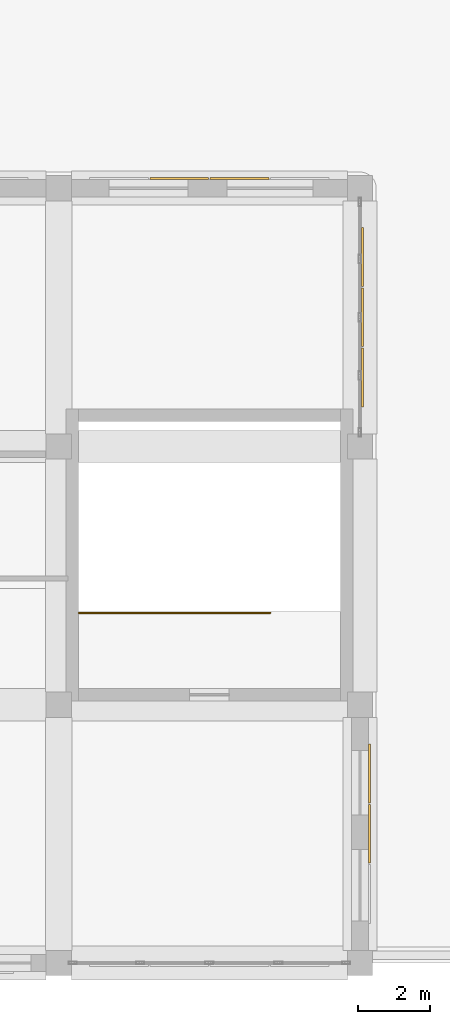
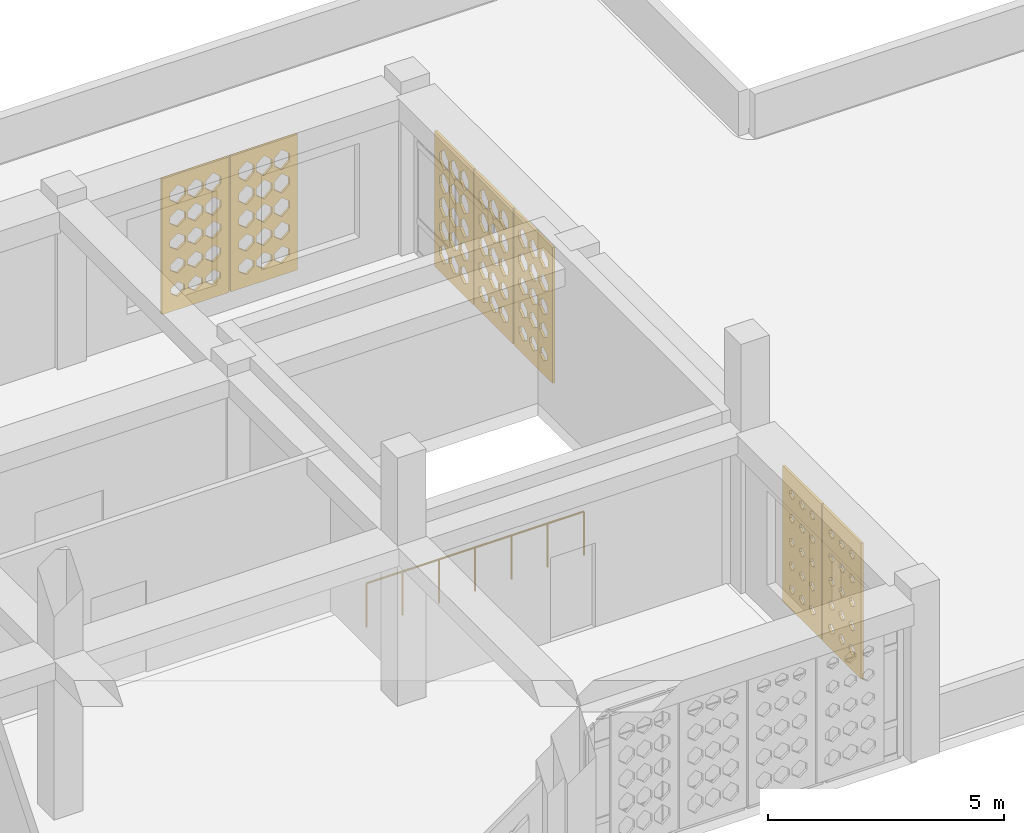
# One storey, part 98 of 100: 7 coverings, 1 railing.
"""IFC4 building model written with IfcOpenShell, lengths in metres."""

from ifc_helpers import new_model, si_unit, derived_unit, direction, frame, origin, origin_2d, place, context, subcontext, project, spatial, polyline, circle, outline, extrude, material, layer, layer_set, type_object, element, save


model = new_model("IFC4")

# Units and contexts
model_context = context("Model", 3, precision=1e-05, world=origin(), true_north=direction((0.0, 1.0)))
body_context = subcontext(model_context, "Body", "Model", "MODEL_VIEW")
ifc_project = project(units=[si_unit("LENGTHUNIT", "METRE"), si_unit("AREAUNIT", "SQUARE_METRE"), si_unit("VOLUMEUNIT", "CUBIC_METRE"), si_unit("PLANEANGLEUNIT", "RADIAN"), si_unit("MASSUNIT", "GRAM", prefix="KILO"), derived_unit("THERMALTRANSMITTANCEUNIT", [(si_unit("POWERUNIT", "WATT"), 1), (si_unit("LENGTHUNIT", "METRE"), -2), (si_unit("THERMODYNAMICTEMPERATUREUNIT", "KELVIN"), -1)])], contexts=[model_context])

# Site, building, storey
site_placement = place(None, origin())
site = spatial("IfcSite", under=ifc_project, at=site_placement, CompositionType="ELEMENT")
building_placement = place(site_placement, origin())
building = spatial("IfcBuilding", under=site, at=building_placement, Name="Veybourne Emporium", CompositionType="ELEMENT")
storey_placement = place(building_placement, frame((0.0, 0.0, 14.39990234375)))
storey = spatial("IfcBuildingStorey", under=building, at=storey_placement, Name="L03", CompositionType="ELEMENT", Elevation=14.39990234375)

# Railing
ifc_material_1 = material(Name="Brushed Stainless Steel", Category="steel")
railing_type = type_object("IfcRailingType", Name="Guard_GR-01", PredefinedType="GUARDRAIL", material=ifc_material_1)
railing_placement = place(storey_placement, frame((126.570068359375, 9.760009765625, 0.0)))
element("IfcRailing", 1, at=railing_placement, inside=storey, type_object=railing_type, Name="L03 ST-06 top well guardrail", PredefinedType="GUARDRAIL", context=body_context, shape_type="SweptSolid", body=[
    extrude(circle(Radius=0.02392578125, at=origin_2d()), frame((0.0, 0.0, 1.1259765625), z_axis=(1.0, 0.0, 0.0), x_axis=(0.0, 1.0, 0.0)), (0.0, 0.0, 1.0), 5.31982421875),
    extrude(circle(Radius=0.02099609375, at=origin_2d()), origin(), (0.0, 0.0, 1.0), 1.101806640625),
    extrude(circle(Radius=0.02099609375, at=origin_2d()), frame((0.88671875, 0.0, 0.0)), (0.0, 0.0, 1.0), 1.101806640625),
    extrude(circle(Radius=0.02099609375, at=origin_2d()), frame((1.773193359375, 0.0, 0.0)), (0.0, 0.0, 1.0), 1.101806640625),
    extrude(circle(Radius=0.02099609375, at=origin_2d()), frame((2.659912109375, 0.0, 0.0)), (0.0, 0.0, 1.0), 1.101806640625),
    extrude(circle(Radius=0.02099609375, at=origin_2d()), frame((3.546630859375, 0.0, 0.0)), (0.0, 0.0, 1.0), 1.101806640625),
    extrude(circle(Radius=0.02099609375, at=origin_2d()), frame((4.43310546875, 0.0, 0.0)), (0.0, 0.0, 1.0), 1.101806640625),
    extrude(circle(Radius=0.02099609375, at=origin_2d()), frame((5.31982421875, 0.0, 0.0)), (0.0, 0.0, 1.0), 1.101806640625),
])

# Coverings
ifc_material_2 = material(Name="Warm-White Perforated Aluminium Screen Alloy", Category="aluminium")
ifc_layer_1 = layer(ifc_material_2, 0.06005859375)
ifc_layer_set_1 = layer_set([ifc_layer_1], Name="Warm-White Perforated Aluminium Screen Alloy")
covering_type_1 = type_object("IfcCoveringType", Name="WaveScreen_SCR-01", PredefinedType="CLADDING", material=ifc_layer_set_1)
covering_1_placement = place(storey_placement, frame((134.697998046875, 3.60009765625, 1.815185546875), z_axis=(-1.0, 0.0, 0.0), x_axis=(0.0, -1.0, 0.0)))
element("IfcCovering", 2, at=covering_1_placement, inside=storey, type_object=covering_type_1, Name="L03 wave-perforated aluminium screen SCR-01 (67.2)", PredefinedType="CLADDING", context=body_context, shape_type="SweptSolid", body=[
    extrude(outline(polyline([(-0.81982421875, -1.7548828125), (0.81982421875, -1.7548828125), (0.81982421875, 1.7548828125), (-0.81982421875, 1.7548828125), (-0.81982421875, -1.7548828125)]), holes=[polyline([(-0.433349609375, -1.099609375), (-0.318115234375, -1.181640625), (-0.318115234375, -1.2744140625), (-0.433349609375, -1.3564453125), (-0.548583984375, -1.2744140625), (-0.548583984375, -1.181640625), (-0.433349609375, -1.099609375)]), polyline([(-0.433349609375, -0.493408203125), (-0.32470703125, -0.570556640625), (-0.32470703125, -0.657470703125), (-0.433349609375, -0.734619140625), (-0.5419921875, -0.657470703125), (-0.5419921875, -0.570556640625), (-0.433349609375, -0.493408203125)]), polyline([(-0.433349609375, 0.11474609375), (-0.32958984375, 0.041259765625), (-0.32958984375, -0.041259765625), (-0.433349609375, -0.11474609375), (-0.537109375, -0.041259765625), (-0.537109375, 0.041259765625), (-0.433349609375, 0.11474609375)]), polyline([(-0.433349609375, 0.72509765625), (-0.33251953125, 0.654052734375), (-0.33251953125, 0.573974609375), (-0.433349609375, 0.5029296875), (-0.5341796875, 0.573974609375), (-0.5341796875, 0.654052734375), (-0.433349609375, 0.72509765625)]), polyline([(-0.433349609375, 1.337890625), (-0.333251953125, 1.267578125), (-0.333251953125, 1.1884765625), (-0.433349609375, 1.117919921875), (-0.533203125, 1.1884765625), (-0.533203125, 1.267578125), (-0.433349609375, 1.337890625)]), polyline([(0.0, -1.09521484375), (0.11865234375, -1.18017578125), (0.11865234375, -1.27587890625), (0.0, -1.360595703125), (-0.11865234375, -1.27587890625), (-0.11865234375, -1.18017578125), (0.0, -1.09521484375)]), polyline([(0.0, -0.489990234375), (0.111328125, -0.5693359375), (0.111328125, -0.65869140625), (0.0, -0.73779296875), (-0.111328125, -0.65869140625), (-0.111328125, -0.5693359375), (0.0, -0.489990234375)]), polyline([(0.0, 0.1171875), (0.105712890625, 0.0419921875), (0.105712890625, -0.0419921875), (0.0, -0.1171875), (-0.105712890625, -0.0419921875), (-0.105712890625, 0.0419921875), (0.0, 0.1171875)]), polyline([(0.0, 0.7265625), (0.10205078125, 0.654541015625), (0.10205078125, 0.573486328125), (0.0, 0.50146484375), (-0.10205078125, 0.573486328125), (-0.10205078125, 0.654541015625), (0.0, 0.7265625)]), polyline([(0.0, 1.338134765625), (0.10009765625, 1.267578125), (0.10009765625, 1.188232421875), (0.0, 1.117919921875), (-0.10009765625, 1.188232421875), (-0.10009765625, 1.267578125), (0.0, 1.338134765625)]), polyline([(0.433349609375, -1.0908203125), (0.5556640625, -1.1787109375), (0.5556640625, -1.27734375), (0.433349609375, -1.365234375), (0.31103515625, -1.27734375), (0.31103515625, -1.1787109375), (0.433349609375, -1.0908203125)]), polyline([(0.433349609375, -0.486328125), (0.5478515625, -0.568115234375), (0.5478515625, -0.659912109375), (0.433349609375, -0.74169921875), (0.31884765625, -0.659912109375), (0.31884765625, -0.568115234375), (0.433349609375, -0.486328125)]), polyline([(0.433349609375, 0.119873046875), (0.54150390625, 0.043212890625), (0.54150390625, -0.043212890625), (0.433349609375, -0.119873046875), (0.3251953125, -0.043212890625), (0.3251953125, 0.043212890625), (0.433349609375, 0.119873046875)]), polyline([(0.433349609375, 0.728271484375), (0.536865234375, 0.655029296875), (0.536865234375, 0.572998046875), (0.433349609375, 0.499755859375), (0.329833984375, 0.572998046875), (0.329833984375, 0.655029296875), (0.433349609375, 0.728271484375)]), polyline([(0.433349609375, 1.3388671875), (0.5341796875, 1.267822265625), (0.5341796875, 1.18798828125), (0.433349609375, 1.1171875), (0.33251953125, 1.18798828125), (0.33251953125, 1.267822265625), (0.433349609375, 1.3388671875)])]), origin(), (0.0, 0.0, 1.0), 0.06005859375),
])
covering_2_placement = place(storey_placement, frame((131.0400390625, 21.89794921875, 1.815185546875), z_axis=(0.0, -1.0, 0.0), x_axis=(1.0, 0.0, 0.0)))
element("IfcCovering", 3, at=covering_2_placement, inside=storey, type_object=covering_type_1, Name="L03 wave-perforated aluminium screen SCR-01 (70.3)", PredefinedType="CLADDING", context=body_context, shape_type="SweptSolid", body=[
    extrude(outline(polyline([(-0.81982421875, -1.7548828125), (0.81982421875, -1.7548828125), (0.81982421875, 1.7548828125), (-0.81982421875, 1.7548828125), (-0.81982421875, -1.7548828125)]), holes=[polyline([(-0.433349609375, -1.01708984375), (-0.250732421875, -1.152099609375), (-0.250732421875, -1.303955078125), (-0.433349609375, -1.43896484375), (-0.615966796875, -1.303955078125), (-0.615966796875, -1.152099609375), (-0.433349609375, -1.01708984375)]), polyline([(-0.433349609375, -0.389404296875), (-0.2470703125, -0.533203125), (-0.2470703125, -0.69482421875), (-0.433349609375, -0.83837890625), (-0.61962890625, -0.69482421875), (-0.61962890625, -0.533203125), (-0.433349609375, -0.389404296875)]), polyline([(-0.433349609375, 0.237060546875), (-0.2470703125, 0.085205078125), (-0.2470703125, -0.085205078125), (-0.433349609375, -0.237060546875), (-0.61962890625, -0.085205078125), (-0.61962890625, 0.085205078125), (-0.433349609375, 0.237060546875)]), polyline([(-0.433349609375, 0.8623046875), (-0.2470703125, 0.703369140625), (-0.2470703125, 0.524658203125), (-0.433349609375, 0.36572265625), (-0.61962890625, 0.524658203125), (-0.61962890625, 0.703369140625), (-0.433349609375, 0.8623046875)]), polyline([(-0.433349609375, 1.48583984375), (-0.2470703125, 1.32080078125), (-0.2470703125, 1.13525390625), (-0.433349609375, 0.97021484375), (-0.61962890625, 1.13525390625), (-0.61962890625, 1.32080078125), (-0.433349609375, 1.48583984375)]), polyline([(0.0, -1.0107421875), (0.186279296875, -1.14990234375), (0.186279296875, -1.30615234375), (0.0, -1.4453125), (-0.186279296875, -1.30615234375), (-0.186279296875, -1.14990234375), (0.0, -1.0107421875)]), polyline([(0.0, -0.3837890625), (0.186279296875, -0.531005859375), (0.186279296875, -0.697021484375), (0.0, -0.84423828125), (-0.186279296875, -0.697021484375), (-0.186279296875, -0.531005859375), (0.0, -0.3837890625)]), polyline([(0.0, 0.2421875), (0.186279296875, 0.087158203125), (0.186279296875, -0.087158203125), (0.0, -0.2421875), (-0.186279296875, -0.087158203125), (-0.186279296875, 0.087158203125), (0.0, 0.2421875)]), polyline([(0.0, 0.86669921875), (0.186279296875, 0.705078125), (0.186279296875, 0.52294921875), (0.0, 0.361083984375), (-0.186279296875, 0.52294921875), (-0.186279296875, 0.705078125), (0.0, 0.86669921875)]), polyline([(0.0, 1.489501953125), (0.186279296875, 1.322265625), (0.186279296875, 1.1337890625), (0.0, 0.966552734375), (-0.186279296875, 1.1337890625), (-0.186279296875, 1.322265625), (0.0, 1.489501953125)]), polyline([(0.433349609375, -1.0048828125), (0.61962890625, -1.147705078125), (0.61962890625, -1.308349609375), (0.433349609375, -1.451171875), (0.2470703125, -1.308349609375), (0.2470703125, -1.147705078125), (0.433349609375, -1.0048828125)]), polyline([(0.433349609375, -0.378173828125), (0.61962890625, -0.529052734375), (0.61962890625, -0.698974609375), (0.433349609375, -0.849853515625), (0.2470703125, -0.698974609375), (0.2470703125, -0.529052734375), (0.433349609375, -0.378173828125)]), polyline([(0.433349609375, 0.247314453125), (0.61962890625, 0.089111328125), (0.61962890625, -0.089111328125), (0.433349609375, -0.247314453125), (0.2470703125, -0.089111328125), (0.2470703125, 0.089111328125), (0.433349609375, 0.247314453125)]), polyline([(0.433349609375, 0.87109375), (0.61962890625, 0.70654296875), (0.61962890625, 0.521484375), (0.433349609375, 0.35693359375), (0.2470703125, 0.521484375), (0.2470703125, 0.70654296875), (0.433349609375, 0.87109375)]), polyline([(0.433349609375, 1.491943359375), (0.61962890625, 1.322998046875), (0.61962890625, 1.133056640625), (0.433349609375, 0.964111328125), (0.2470703125, 1.133056640625), (0.2470703125, 1.322998046875), (0.433349609375, 1.491943359375)])]), origin(), (0.0, 0.0, 1.0), 0.06005859375),
])
ifc_layer_2 = layer(ifc_material_2, 0.06005859375)
ifc_layer_set_2 = layer_set([ifc_layer_2], Name="Warm-White Perforated Aluminium Screen Alloy")
covering_type_2 = type_object("IfcCoveringType", Name="WaveScreen_SCR-02", PredefinedType="CLADDING", material=ifc_layer_set_2)
covering_3_placement = place(storey_placement, frame((134.4970703125, 19.679931640625, 1.815185546875), z_axis=(-1.0, 0.0, 0.0), x_axis=(0.0, -1.0, 0.0)))
element("IfcCovering", 4, at=covering_3_placement, inside=storey, type_object=covering_type_2, Name="L03 wave-perforated aluminium screen SCR-02 (69C.1)", PredefinedType="CLADDING", context=body_context, shape_type="SweptSolid", body=[
    extrude(outline(polyline([(-0.81982421875, -1.7548828125), (0.81982421875, -1.7548828125), (0.81982421875, 1.7548828125), (-0.81982421875, 1.7548828125), (-0.81982421875, -1.7548828125)]), holes=[polyline([(-0.433349609375, -0.988525390625), (-0.2470703125, -1.141845703125), (-0.2470703125, -1.314208984375), (-0.433349609375, -1.46728515625), (-0.61962890625, -1.314208984375), (-0.61962890625, -1.141845703125), (-0.433349609375, -0.988525390625)]), polyline([(-0.433349609375, -0.36376953125), (-0.2470703125, -0.52392578125), (-0.2470703125, -0.7041015625), (-0.433349609375, -0.8642578125), (-0.61962890625, -0.7041015625), (-0.61962890625, -0.52392578125), (-0.433349609375, -0.36376953125)]), polyline([(-0.433349609375, 0.259521484375), (-0.2470703125, 0.093505859375), (-0.2470703125, -0.093505859375), (-0.433349609375, -0.259521484375), (-0.61962890625, -0.093505859375), (-0.61962890625, 0.093505859375), (-0.433349609375, 0.259521484375)]), polyline([(-0.433349609375, 0.8779296875), (-0.2470703125, 0.708984375), (-0.2470703125, 0.51904296875), (-0.433349609375, 0.35009765625), (-0.61962890625, 0.51904296875), (-0.61962890625, 0.708984375), (-0.433349609375, 0.8779296875)]), polyline([(-0.433349609375, 1.491943359375), (-0.2470703125, 1.322998046875), (-0.2470703125, 1.133056640625), (-0.433349609375, 0.964111328125), (-0.61962890625, 1.133056640625), (-0.61962890625, 1.322998046875), (-0.433349609375, 1.491943359375)]), polyline([(0.0, -0.993896484375), (0.186279296875, -1.143798828125), (0.186279296875, -1.312255859375), (0.0, -1.4619140625), (-0.186279296875, -1.312255859375), (-0.186279296875, -1.143798828125), (0.0, -0.993896484375)]), polyline([(0.0, -0.368408203125), (0.186279296875, -0.525634765625), (0.186279296875, -0.702392578125), (0.0, -0.859619140625), (-0.186279296875, -0.702392578125), (-0.186279296875, -0.525634765625), (0.0, -0.368408203125)]), polyline([(0.0, 0.255615234375), (0.186279296875, 0.092041015625), (0.186279296875, -0.092041015625), (0.0, -0.255615234375), (-0.186279296875, -0.092041015625), (-0.186279296875, 0.092041015625), (0.0, 0.255615234375)]), polyline([(0.0, 0.877685546875), (0.186279296875, 0.708984375), (0.186279296875, 0.51904296875), (0.0, 0.35009765625), (-0.186279296875, 0.51904296875), (-0.186279296875, 0.708984375), (0.0, 0.877685546875)]), polyline([(0.0, 1.491943359375), (0.186279296875, 1.322998046875), (0.186279296875, 1.133056640625), (0.0, 0.964111328125), (-0.186279296875, 1.133056640625), (-0.186279296875, 1.322998046875), (0.0, 1.491943359375)]), polyline([(0.433349609375, -0.999755859375), (0.61962890625, -1.145751953125), (0.61962890625, -1.310302734375), (0.433349609375, -1.456298828125), (0.2470703125, -1.310302734375), (0.2470703125, -1.145751953125), (0.433349609375, -0.999755859375)]), polyline([(0.433349609375, -0.37353515625), (0.61962890625, -0.52734375), (0.61962890625, -0.70068359375), (0.433349609375, -0.8544921875), (0.2470703125, -0.70068359375), (0.2470703125, -0.52734375), (0.433349609375, -0.37353515625)]), polyline([(0.433349609375, 0.251220703125), (0.61962890625, 0.090576171875), (0.61962890625, -0.090576171875), (0.433349609375, -0.251220703125), (0.2470703125, -0.090576171875), (0.2470703125, 0.090576171875), (0.433349609375, 0.251220703125)]), polyline([(0.433349609375, 0.874267578125), (0.61962890625, 0.707763671875), (0.61962890625, 0.520263671875), (0.433349609375, 0.353759765625), (0.2470703125, 0.520263671875), (0.2470703125, 0.707763671875), (0.433349609375, 0.874267578125)]), polyline([(0.433349609375, 1.491943359375), (0.61962890625, 1.322998046875), (0.61962890625, 1.133056640625), (0.433349609375, 0.964111328125), (0.2470703125, 1.133056640625), (0.2470703125, 1.322998046875), (0.433349609375, 1.491943359375)])]), origin(), (0.0, 0.0, 1.0), 0.06005859375),
])
ifc_layer_3 = layer(ifc_material_2, 0.06005859375)
ifc_layer_set_3 = layer_set([ifc_layer_3], Name="Warm-White Perforated Aluminium Screen Alloy")
covering_type_3 = type_object("IfcCoveringType", Name="WaveScreen_SCR-03", PredefinedType="CLADDING", material=ifc_layer_set_3)
covering_4_placement = place(storey_placement, frame((134.4970703125, 18.0, 1.815185546875), z_axis=(-1.0, 0.0, 0.0), x_axis=(0.0, -1.0, 0.0)))
element("IfcCovering", 5, at=covering_4_placement, inside=storey, type_object=covering_type_3, Name="L03 wave-perforated aluminium screen SCR-03 (69C.2)", PredefinedType="CLADDING", context=body_context, shape_type="SweptSolid", body=[
    extrude(outline(polyline([(-0.81982421875, -1.7548828125), (0.81982421875, -1.7548828125), (0.81982421875, 1.7548828125), (-0.81982421875, 1.7548828125), (-0.81982421875, -1.7548828125)]), holes=[polyline([(-0.433349609375, -1.010986328125), (-0.2470703125, -1.14990234375), (-0.2470703125, -1.30615234375), (-0.433349609375, -1.445068359375), (-0.61962890625, -1.30615234375), (-0.61962890625, -1.14990234375), (-0.433349609375, -1.010986328125)]), polyline([(-0.433349609375, -0.3837890625), (-0.2470703125, -0.531005859375), (-0.2470703125, -0.697021484375), (-0.433349609375, -0.84423828125), (-0.61962890625, -0.697021484375), (-0.61962890625, -0.531005859375), (-0.433349609375, -0.3837890625)]), polyline([(-0.433349609375, 0.2421875), (-0.2470703125, 0.087158203125), (-0.2470703125, -0.087158203125), (-0.433349609375, -0.2421875), (-0.61962890625, -0.087158203125), (-0.61962890625, 0.087158203125), (-0.433349609375, 0.2421875)]), polyline([(-0.433349609375, 0.86669921875), (-0.2470703125, 0.705078125), (-0.2470703125, 0.52294921875), (-0.433349609375, 0.361328125), (-0.61962890625, 0.52294921875), (-0.61962890625, 0.705078125), (-0.433349609375, 0.86669921875)]), polyline([(-0.433349609375, 1.489501953125), (-0.2470703125, 1.322021484375), (-0.2470703125, 1.1337890625), (-0.433349609375, 0.966552734375), (-0.61962890625, 1.1337890625), (-0.61962890625, 1.322021484375), (-0.433349609375, 1.489501953125)]), polyline([(0.0, -1.01708984375), (0.1826171875, -1.152099609375), (0.1826171875, -1.303955078125), (0.0, -1.43896484375), (-0.1826171875, -1.303955078125), (-0.1826171875, -1.152099609375), (0.0, -1.01708984375)]), polyline([(0.0, -0.3896484375), (0.186279296875, -0.533203125), (0.186279296875, -0.69482421875), (0.0, -0.83837890625), (-0.186279296875, -0.69482421875), (-0.186279296875, -0.533203125), (0.0, -0.3896484375)]), polyline([(0.0, 0.23681640625), (0.186279296875, 0.085205078125), (0.186279296875, -0.085205078125), (0.0, -0.23681640625), (-0.186279296875, -0.085205078125), (-0.186279296875, 0.085205078125), (0.0, 0.23681640625)]), polyline([(0.0, 0.862060546875), (0.186279296875, 0.703369140625), (0.186279296875, 0.524658203125), (0.0, 0.365966796875), (-0.186279296875, 0.524658203125), (-0.186279296875, 0.703369140625), (0.0, 0.862060546875)]), polyline([(0.0, 1.485595703125), (0.186279296875, 1.32080078125), (0.186279296875, 1.13525390625), (0.0, 0.97021484375), (-0.186279296875, 1.13525390625), (-0.186279296875, 1.32080078125), (0.0, 1.485595703125)]), polyline([(0.433349609375, -1.0234375), (0.610595703125, -1.154296875), (0.610595703125, -1.301513671875), (0.433349609375, -1.4326171875), (0.256103515625, -1.301513671875), (0.256103515625, -1.154296875), (0.433349609375, -1.0234375)]), polyline([(0.433349609375, -0.395751953125), (0.61962890625, -0.535400390625), (0.61962890625, -0.692626953125), (0.433349609375, -0.832275390625), (0.2470703125, -0.692626953125), (0.2470703125, -0.535400390625), (0.433349609375, -0.395751953125)]), polyline([(0.433349609375, 0.2314453125), (0.61962890625, 0.083251953125), (0.61962890625, -0.083251953125), (0.433349609375, -0.2314453125), (0.2470703125, -0.083251953125), (0.2470703125, 0.083251953125), (0.433349609375, 0.2314453125)]), polyline([(0.433349609375, 0.857177734375), (0.61962890625, 0.70166015625), (0.61962890625, 0.5263671875), (0.433349609375, 0.370849609375), (0.2470703125, 0.5263671875), (0.2470703125, 0.70166015625), (0.433349609375, 0.857177734375)]), polyline([(0.433349609375, 1.481689453125), (0.61962890625, 1.3193359375), (0.61962890625, 1.13671875), (0.433349609375, 0.974365234375), (0.2470703125, 1.13671875), (0.2470703125, 1.3193359375), (0.433349609375, 1.481689453125)])]), origin(), (0.0, 0.0, 1.0), 0.06005859375),
])
ifc_layer_4 = layer(ifc_material_2, 0.06005859375)
ifc_layer_set_4 = layer_set([ifc_layer_4], Name="Warm-White Perforated Aluminium Screen Alloy")
covering_type_4 = type_object("IfcCoveringType", Name="WaveScreen_SCR-04", PredefinedType="CLADDING", material=ifc_layer_set_4)
covering_5_placement = place(storey_placement, frame((134.697998046875, 5.280029296875, 1.815185546875), z_axis=(-1.0, 0.0, 0.0), x_axis=(0.0, -1.0, 0.0)))
element("IfcCovering", 6, at=covering_5_placement, inside=storey, type_object=covering_type_4, Name="L03 wave-perforated aluminium screen SCR-04 (67.1)", PredefinedType="CLADDING", context=body_context, shape_type="SweptSolid", body=[
    extrude(outline(polyline([(-0.81982421875, -1.7548828125), (0.81982421875, -1.7548828125), (0.81982421875, 1.7548828125), (-0.81982421875, 1.7548828125), (-0.81982421875, -1.7548828125)]), holes=[polyline([(-0.433349609375, -1.112060546875), (-0.32861328125, -1.186279296875), (-0.32861328125, -1.269775390625), (-0.433349609375, -1.343994140625), (-0.5380859375, -1.269775390625), (-0.5380859375, -1.186279296875), (-0.433349609375, -1.112060546875)]), polyline([(-0.433349609375, -0.502197265625), (-0.331787109375, -0.57373046875), (-0.331787109375, -0.654296875), (-0.433349609375, -0.725830078125), (-0.534912109375, -0.654296875), (-0.534912109375, -0.57373046875), (-0.433349609375, -0.502197265625)]), polyline([(-0.433349609375, 0.110107421875), (-0.333251953125, 0.03955078125), (-0.333251953125, -0.03955078125), (-0.433349609375, -0.110107421875), (-0.533447265625, -0.03955078125), (-0.533447265625, 0.03955078125), (-0.433349609375, 0.110107421875)]), polyline([(-0.433349609375, 0.724853515625), (-0.332763671875, 0.65380859375), (-0.332763671875, 0.57421875), (-0.433349609375, 0.503173828125), (-0.533935546875, 0.57421875), (-0.533935546875, 0.65380859375), (-0.433349609375, 0.724853515625)]), polyline([(-0.433349609375, 1.341796875), (-0.330078125, 1.26904296875), (-0.330078125, 1.18701171875), (-0.433349609375, 1.114013671875), (-0.53662109375, 1.18701171875), (-0.53662109375, 1.26904296875), (-0.433349609375, 1.341796875)]), polyline([(0.0, -1.109619140625), (0.10693359375, -1.185302734375), (0.10693359375, -1.270751953125), (0.0, -1.346435546875), (-0.10693359375, -1.270751953125), (-0.10693359375, -1.185302734375), (0.0, -1.109619140625)]), polyline([(0.0, -0.50048828125), (0.102783203125, -0.5732421875), (0.102783203125, -0.65478515625), (0.0, -0.727294921875), (-0.102783203125, -0.65478515625), (-0.102783203125, -0.5732421875), (0.0, -0.50048828125)]), polyline([(0.0, 0.110595703125), (0.100341796875, 0.039794921875), (0.100341796875, -0.039794921875), (0.0, -0.110595703125), (-0.100341796875, -0.039794921875), (-0.100341796875, 0.039794921875), (0.0, 0.110595703125)]), polyline([(0.0, 0.72412109375), (0.10009765625, 0.653564453125), (0.10009765625, 0.574462890625), (0.0, 0.50390625), (-0.10009765625, 0.574462890625), (-0.10009765625, 0.653564453125), (0.0, 0.72412109375)]), polyline([(0.0, 1.340087890625), (0.101806640625, 1.268310546875), (0.101806640625, 1.1875), (0.0, 1.11572265625), (-0.101806640625, 1.1875), (-0.101806640625, 1.268310546875), (0.0, 1.340087890625)]), polyline([(0.433349609375, -1.1064453125), (0.542724609375, -1.18408203125), (0.542724609375, -1.271728515625), (0.433349609375, -1.349609375), (0.323974609375, -1.271728515625), (0.323974609375, -1.18408203125), (0.433349609375, -1.1064453125)]), polyline([(0.433349609375, -0.49853515625), (0.537841796875, -0.572509765625), (0.537841796875, -0.655517578125), (0.433349609375, -0.7294921875), (0.328857421875, -0.655517578125), (0.328857421875, -0.572509765625), (0.433349609375, -0.49853515625)]), polyline([(0.433349609375, 0.111572265625), (0.53466796875, 0.0400390625), (0.53466796875, -0.0400390625), (0.433349609375, -0.111572265625), (0.33203125, -0.0400390625), (0.33203125, 0.0400390625), (0.433349609375, 0.111572265625)]), polyline([(0.433349609375, 0.72412109375), (0.533203125, 0.653564453125), (0.533203125, 0.574462890625), (0.433349609375, 0.50390625), (0.333251953125, 0.574462890625), (0.333251953125, 0.653564453125), (0.433349609375, 0.72412109375)]), polyline([(0.433349609375, 1.3388671875), (0.5341796875, 1.267822265625), (0.5341796875, 1.18798828125), (0.433349609375, 1.1171875), (0.33251953125, 1.18798828125), (0.33251953125, 1.267822265625), (0.433349609375, 1.3388671875)])]), origin(), (0.0, 0.0, 1.0), 0.06005859375),
])
covering_6_placement = place(storey_placement, frame((134.4970703125, 16.320068359375, 1.815185546875), z_axis=(-1.0, 0.0, 0.0), x_axis=(0.0, -1.0, 0.0)))
element("IfcCovering", 7, at=covering_6_placement, inside=storey, type_object=covering_type_4, Name="L03 wave-perforated aluminium screen SCR-04 (69C.3)", PredefinedType="CLADDING", context=body_context, shape_type="SweptSolid", body=[
    extrude(outline(polyline([(-0.81982421875, -1.7548828125), (0.81982421875, -1.7548828125), (0.81982421875, 1.7548828125), (-0.81982421875, 1.7548828125), (-0.81982421875, -1.7548828125)]), holes=[polyline([(-0.433349609375, -1.035400390625), (-0.265869140625, -1.15869140625), (-0.265869140625, -1.29736328125), (-0.433349609375, -1.42041015625), (-0.600830078125, -1.29736328125), (-0.600830078125, -1.15869140625), (-0.433349609375, -1.035400390625)]), polyline([(-0.433349609375, -0.407470703125), (-0.25439453125, -0.53955078125), (-0.25439453125, -0.6884765625), (-0.433349609375, -0.820556640625), (-0.6123046875, -0.6884765625), (-0.6123046875, -0.53955078125), (-0.433349609375, -0.407470703125)]), polyline([(-0.433349609375, 0.22021484375), (-0.2470703125, 0.079345703125), (-0.2470703125, -0.079345703125), (-0.433349609375, -0.22021484375), (-0.61962890625, -0.079345703125), (-0.61962890625, 0.079345703125), (-0.433349609375, 0.22021484375)]), polyline([(-0.433349609375, 0.84716796875), (-0.2470703125, 0.697998046875), (-0.2470703125, 0.530029296875), (-0.433349609375, 0.380859375), (-0.61962890625, 0.530029296875), (-0.61962890625, 0.697998046875), (-0.433349609375, 0.84716796875)]), polyline([(-0.433349609375, 1.472900390625), (-0.2470703125, 1.316162109375), (-0.2470703125, 1.139892578125), (-0.433349609375, 0.983154296875), (-0.61962890625, 1.139892578125), (-0.61962890625, 1.316162109375), (-0.433349609375, 1.472900390625)]), polyline([(0.0, -1.0419921875), (0.162109375, -1.160888671875), (0.162109375, -1.294921875), (0.0, -1.4140625), (-0.162109375, -1.294921875), (-0.162109375, -1.160888671875), (0.0, -1.0419921875)]), polyline([(0.0, -0.413818359375), (0.173828125, -0.5419921875), (0.173828125, -0.68603515625), (0.0, -0.814208984375), (-0.173828125, -0.68603515625), (-0.173828125, -0.5419921875), (0.0, -0.413818359375)]), polyline([(0.0, 0.214111328125), (0.185302734375, 0.0771484375), (0.185302734375, -0.0771484375), (0.0, -0.214111328125), (-0.185302734375, -0.0771484375), (-0.185302734375, 0.0771484375), (0.0, 0.214111328125)]), polyline([(0.0, 0.841552734375), (0.186279296875, 0.69580078125), (0.186279296875, 0.531982421875), (0.0, 0.386474609375), (-0.186279296875, 0.531982421875), (-0.186279296875, 0.69580078125), (0.0, 0.841552734375)]), polyline([(0.0, 1.4677734375), (0.186279296875, 1.314208984375), (0.186279296875, 1.1416015625), (0.0, 0.98828125), (-0.186279296875, 1.1416015625), (-0.186279296875, 1.314208984375), (0.0, 1.4677734375)]), polyline([(0.433349609375, -1.04833984375), (0.59033203125, -1.163330078125), (0.59033203125, -1.292724609375), (0.433349609375, -1.40771484375), (0.2763671875, -1.292724609375), (0.2763671875, -1.163330078125), (0.433349609375, -1.04833984375)]), polyline([(0.433349609375, -0.420166015625), (0.601806640625, -0.544189453125), (0.601806640625, -0.683837890625), (0.433349609375, -0.807861328125), (0.264892578125, -0.683837890625), (0.264892578125, -0.544189453125), (0.433349609375, -0.420166015625)]), polyline([(0.433349609375, 0.2080078125), (0.61328125, 0.07470703125), (0.61328125, -0.07470703125), (0.433349609375, -0.2080078125), (0.253173828125, -0.07470703125), (0.253173828125, 0.07470703125), (0.433349609375, 0.2080078125)]), polyline([(0.433349609375, 0.835693359375), (0.61962890625, 0.69384765625), (0.61962890625, 0.5341796875), (0.433349609375, 0.392333984375), (0.2470703125, 0.5341796875), (0.2470703125, 0.69384765625), (0.433349609375, 0.835693359375)]), polyline([(0.433349609375, 1.46240234375), (0.61962890625, 1.3125), (0.61962890625, 1.1435546875), (0.433349609375, 0.99365234375), (0.2470703125, 1.1435546875), (0.2470703125, 1.3125), (0.433349609375, 1.46240234375)])]), origin(), (0.0, 0.0, 1.0), 0.06005859375),
])
covering_7_placement = place(storey_placement, frame((129.360107421875, 21.89794921875, 1.815185546875), z_axis=(0.0, -1.0, 0.0), x_axis=(1.0, 0.0, 0.0)))
element("IfcCovering", 8, at=covering_7_placement, inside=storey, type_object=covering_type_4, Name="L03 wave-perforated aluminium screen SCR-04 (70.2)", PredefinedType="CLADDING", context=body_context, shape_type="SweptSolid", body=[
    extrude(outline(polyline([(-0.81982421875, -1.7548828125), (0.81982421875, -1.7548828125), (0.81982421875, 1.7548828125), (-0.81982421875, 1.7548828125), (-0.81982421875, -1.7548828125)]), holes=[polyline([(-0.433349609375, -1.041748046875), (-0.27099609375, -1.160888671875), (-0.27099609375, -1.294921875), (-0.433349609375, -1.414306640625), (-0.595703125, -1.294921875), (-0.595703125, -1.160888671875), (-0.433349609375, -1.041748046875)]), polyline([(-0.433349609375, -0.41357421875), (-0.259521484375, -0.5419921875), (-0.259521484375, -0.68603515625), (-0.433349609375, -0.814453125), (-0.607421875, -0.68603515625), (-0.607421875, -0.5419921875), (-0.433349609375, -0.41357421875)]), polyline([(-0.433349609375, 0.21435546875), (-0.248046875, 0.0771484375), (-0.248046875, -0.0771484375), (-0.433349609375, -0.21435546875), (-0.61865234375, -0.0771484375), (-0.61865234375, 0.0771484375), (-0.433349609375, 0.21435546875)]), polyline([(-0.433349609375, 0.841552734375), (-0.2470703125, 0.69580078125), (-0.2470703125, 0.531982421875), (-0.433349609375, 0.386474609375), (-0.61962890625, 0.531982421875), (-0.61962890625, 0.69580078125), (-0.433349609375, 0.841552734375)]), polyline([(-0.433349609375, 1.4677734375), (-0.2470703125, 1.314208984375), (-0.2470703125, 1.1416015625), (-0.433349609375, 0.98828125), (-0.61962890625, 1.1416015625), (-0.61962890625, 1.314208984375), (-0.433349609375, 1.4677734375)]), polyline([(0.0, -1.035400390625), (0.16748046875, -1.15869140625), (0.16748046875, -1.29736328125), (0.0, -1.420654296875), (-0.16748046875, -1.29736328125), (-0.16748046875, -1.15869140625), (0.0, -1.035400390625)]), polyline([(0.0, -0.4072265625), (0.17919921875, -0.53955078125), (0.17919921875, -0.6884765625), (0.0, -0.82080078125), (-0.17919921875, -0.6884765625), (-0.17919921875, -0.53955078125), (0.0, -0.4072265625)]), polyline([(0.0, 0.220458984375), (0.186279296875, 0.079345703125), (0.186279296875, -0.079345703125), (0.0, -0.220458984375), (-0.186279296875, -0.079345703125), (-0.186279296875, 0.079345703125), (0.0, 0.220458984375)]), polyline([(0.0, 0.847412109375), (0.186279296875, 0.697998046875), (0.186279296875, 0.530029296875), (0.0, 0.380615234375), (-0.186279296875, 0.530029296875), (-0.186279296875, 0.697998046875), (0.0, 0.847412109375)]), polyline([(0.0, 1.472900390625), (0.186279296875, 1.316162109375), (0.186279296875, 1.139892578125), (0.0, 0.98291015625), (-0.186279296875, 1.139892578125), (-0.186279296875, 1.316162109375), (0.0, 1.472900390625)]), polyline([(0.433349609375, -1.029052734375), (0.606201171875, -1.15625), (0.606201171875, -1.2998046875), (0.433349609375, -1.427001953125), (0.260498046875, -1.2998046875), (0.260498046875, -1.15625), (0.433349609375, -1.029052734375)]), polyline([(0.433349609375, -0.40087890625), (0.61767578125, -0.537353515625), (0.61767578125, -0.690673828125), (0.433349609375, -0.826904296875), (0.2490234375, -0.690673828125), (0.2490234375, -0.537353515625), (0.433349609375, -0.40087890625)]), polyline([(0.433349609375, 0.226318359375), (0.61962890625, 0.08154296875), (0.61962890625, -0.08154296875), (0.433349609375, -0.226318359375), (0.2470703125, -0.08154296875), (0.2470703125, 0.08154296875), (0.433349609375, 0.226318359375)]), polyline([(0.433349609375, 0.852783203125), (0.61962890625, 0.699951171875), (0.61962890625, 0.528076171875), (0.433349609375, 0.375244140625), (0.2470703125, 0.528076171875), (0.2470703125, 0.699951171875), (0.433349609375, 0.852783203125)]), polyline([(0.433349609375, 1.477783203125), (0.61962890625, 1.31787109375), (0.61962890625, 1.13818359375), (0.433349609375, 0.978271484375), (0.2470703125, 1.13818359375), (0.2470703125, 1.31787109375), (0.433349609375, 1.477783203125)])]), origin(), (0.0, 0.0, 1.0), 0.06005859375),
])

save(model, "model.ifc")
